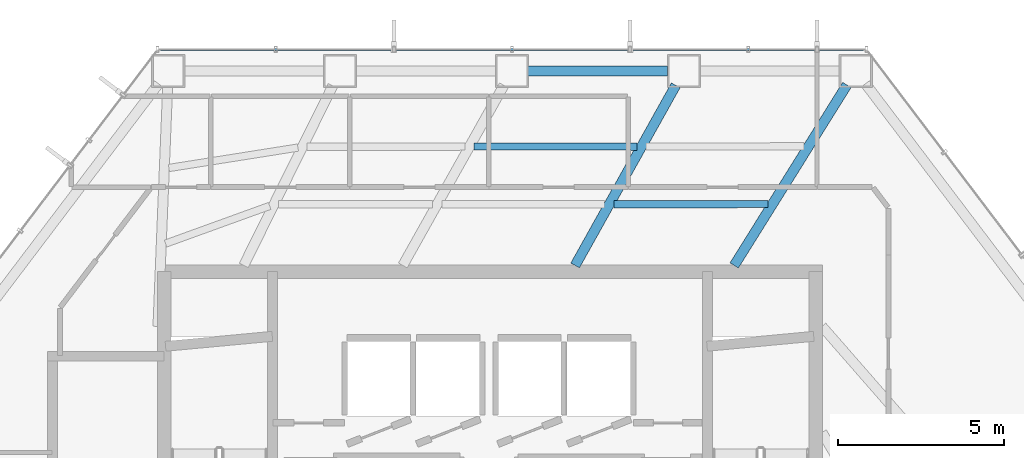
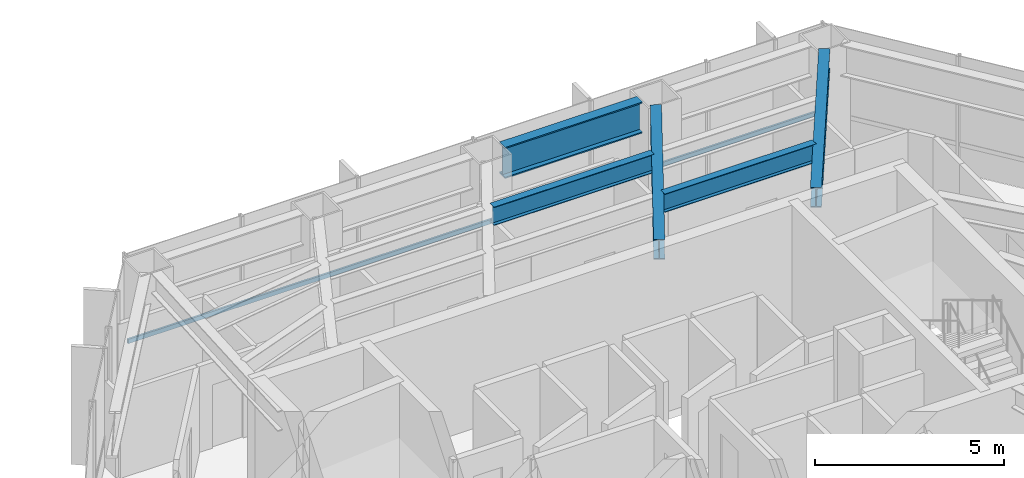
# One storey, part 15 of 26: 5 beams, 1 member, 1 element without a shape of its own.
"""IFC4 building model written with IfcOpenShell, lengths in metres."""

from ifc_helpers import new_model, si_unit, direction, frame, origin, origin_2d, place, context, subcontext, project, spatial, hollow_rectangle, i_section, extrude, material, layer, layer_set, material_profile, profile_set, type_object, element, aggregate, save


model = new_model("IFC4")

# Units and contexts
model_context = context("Model", 3, precision=1e-05, world=origin(), true_north=direction((0.0, 1.0)))
body_context = subcontext(model_context, "Body", "Model", "MODEL_VIEW")
ifc_project = project(units=[si_unit("LENGTHUNIT", "METRE"), si_unit("AREAUNIT", "SQUARE_METRE"), si_unit("VOLUMEUNIT", "CUBIC_METRE"), si_unit("PLANEANGLEUNIT", "RADIAN"), si_unit("MASSUNIT", "GRAM", prefix="KILO")], contexts=[model_context])

# Site, building, storey
site_placement = place(None, origin())
site = spatial("IfcSite", under=ifc_project, at=site_placement, CompositionType="ELEMENT")
building_placement = place(site_placement, origin())
building = spatial("IfcBuilding", under=site, at=building_placement, Name="Zarrinselat Tower", CompositionType="ELEMENT")
storey_placement = place(building_placement, frame((0.0, 0.0, 27.5400390625)))
storey = spatial("IfcBuildingStorey", under=building, at=storey_placement, Name="L06", CompositionType="ELEMENT", Elevation=27.5400390625)

# Beams
ifc_material_1 = material(Name="Steel S355J2", Category="steel")
ifc_material_profile_1 = material_profile(ifc_material_1, i_section(OverallWidth=0.300048828125, OverallDepth=0.64990234375, WebThickness=0.01611328125, FlangeThickness=0.031005859375, at=origin_2d()), Name="HEB 650")
ifc_profile_set_1 = profile_set([ifc_material_profile_1], Name="Steel S355J2")
beam_type_1 = type_object("IfcBeamType", Name="BM-HEB650", PredefinedType="BEAM", material=ifc_profile_set_1)
beam_1_placement = place(storey_placement, frame((45.800048828125, 43.639892578125, 3.494873046875), z_axis=(0.529670738207, 0.848203341827, 0.0), x_axis=(-0.848203341827, 0.529670738207, 0.0)))
element("IfcBeam", 1, at=beam_1_placement, inside=storey, type_object=beam_type_1, Name="L06 Radial Primary Girder RG01", PredefinedType="BEAM", context=body_context, shape_type="SweptSolid", body=[
    extrude(i_section(OverallWidth=0.300048828125, OverallDepth=0.64990234375, WebThickness=0.01611328125, FlangeThickness=0.031005859375, at=origin_2d()), origin(), (0.0, 0.0, 1.0), 6.419921875),
])
beam_2_placement = place(storey_placement, frame((41.0, 43.639892578125, 3.494873046875), z_axis=(0.487729916269, 0.872994575456, 0.0), x_axis=(-0.872994575456, 0.487729916269, 0.0)))
element("IfcBeam", 2, at=beam_2_placement, inside=storey, type_object=beam_type_1, Name="L06 Radial Primary Girder RG02", PredefinedType="BEAM", context=body_context, shape_type="SweptSolid", body=[
    extrude(i_section(OverallWidth=0.300048828125, OverallDepth=0.64990234375, WebThickness=0.01611328125, FlangeThickness=0.031005859375, at=origin_2d()), origin(), (0.0, 0.0, 1.0), 6.2236328125),
])
ifc_material_2 = material(Name="Steel S460M", Category="steel")
ifc_material_profile_2 = material_profile(ifc_material_2, i_section(OverallWidth=0.302001953125, OverallDepth=1.008056640625, WebThickness=0.02099609375, FlangeThickness=0.0400390625, at=origin_2d()), Name="HEM 1000")
ifc_profile_set_2 = profile_set([ifc_material_profile_2], Name="Steel S460M")
beam_type_2 = type_object("IfcBeamType", Name="BM-HEM1000", PredefinedType="BEAM", material=ifc_profile_set_2)
beam_3_placement = place(storey_placement, frame((39.58251953125, 49.510986328125, 3.31591796875), z_axis=(1.0, 0.0, 0.0), x_axis=(0.0, 1.0, 0.0)))
element("IfcBeam", 3, at=beam_3_placement, inside=storey, type_object=beam_type_2, Name="L06 Perimeter Spandrel Girder SP02", PredefinedType="BEAM", context=body_context, shape_type="SweptSolid", body=[
    extrude(i_section(OverallWidth=0.302001953125, OverallDepth=1.008056640625, WebThickness=0.02099609375, FlangeThickness=0.0400390625, at=origin_2d()), origin(), (0.0, 0.0, 1.0), 4.2099609375),
])
ifc_material_3 = material(Name="Steel S355J2", Category="steel")
ifc_material_profile_3 = material_profile(ifc_material_3, i_section(OverallWidth=0.219970703125, OverallDepth=0.60009765625, WebThickness=0.011962890625, FlangeThickness=0.01904296875, at=origin_2d()), Name="IPE 600")
ifc_profile_set_3 = profile_set([ifc_material_profile_3], Name="Steel S355J2")
beam_type_3 = type_object("IfcBeamType", Name="BM-IPE600", PredefinedType="JOIST", material=ifc_profile_set_3)
beam_4_placement = place(storey_placement, frame((42.172119140625, 45.4873046875, 3.52001953125), z_axis=(0.999999646249, 0.000841131024, 0.0), x_axis=(-0.000841131024, 0.999999646249, 0.0)))
element("IfcBeam", 4, at=beam_4_placement, inside=storey, type_object=beam_type_3, Name="L06 Composite Floor Joist 8-2", PredefinedType="JOIST", context=body_context, shape_type="SweptSolid", body=[
    extrude(i_section(OverallWidth=0.219970703125, OverallDepth=0.60009765625, WebThickness=0.011962890625, FlangeThickness=0.01904296875, at=origin_2d()), origin(), (0.0, 0.0, 1.0), 4.64404296875),
])
beam_5_placement = place(storey_placement, frame((37.9521484375, 47.22607421875, 3.52001953125), z_axis=(0.999999995057, -9.9423344e-05, 0.0), x_axis=(9.9423344e-05, 0.999999995057, 0.0)))
element("IfcBeam", 5, at=beam_5_placement, inside=storey, type_object=beam_type_3, Name="L06 Composite Floor Joist 9-1", PredefinedType="JOIST", context=body_context, shape_type="SweptSolid", body=[
    extrude(i_section(OverallWidth=0.219970703125, OverallDepth=0.60009765625, WebThickness=0.011962890625, FlangeThickness=0.01904296875, at=origin_2d()), origin(), (0.0, 0.0, 1.0), 4.9111328125),
])

# Curtain wall, member
ifc_material_4 = material(Name="Extruded Aluminium Alloy EN AW-6063 T6", Category="aluminium")
ifc_layer = layer(ifc_material_4, 0.18505859375)
ifc_layer_set = layer_set([ifc_layer], Name="Extruded Aluminium Alloy EN AW-6063 T6")
curtain_wall_type = type_object("IfcCurtainWallType", Name="CWS-OFF", PredefinedType="NOTDEFINED", material=ifc_layer_set)
curtain_wall_placement = place(storey_placement, origin())
curtain_wall = element("IfcCurtainWall", 6, at=curtain_wall_placement, inside=storey, type_object=curtain_wall_type, Name="L06 Unitised Curtain Wall CW-L06-E01", PredefinedType="NOTDEFINED")
ifc_material_5 = material(Name="Extruded Aluminium Alloy EN AW-6063 T6", Category="aluminium")
ifc_material_profile_4 = material_profile(ifc_material_5, hollow_rectangle(XDim=0.06005859375, YDim=0.139892578125, WallThickness=0.00390625, at=origin_2d()), Name="RHS 140x60x4")
ifc_profile_set_4 = profile_set([ifc_material_profile_4], Name="Extruded Aluminium Alloy EN AW-6063 T6")
member_type = type_object("IfcMemberType", Name="MEM-CW-TRN", PredefinedType="USERDEFINED", material=ifc_profile_set_4)
member_placement = place(storey_placement, frame((49.699462890625, 50.1611328125, 0.949951171875), z_axis=(-1.0, 0.0, 0.0), x_axis=(0.0, -1.0, 0.0)))
member = element("IfcMember", 7, at=member_placement, type_object=member_type, Name="CW-L06-E01 Transom 1", ObjectType="TRANSOM", PredefinedType="USERDEFINED", context=body_context, shape_type="SweptSolid", body=[
    extrude(hollow_rectangle(XDim=0.06005859375, YDim=0.139892578125, WallThickness=0.00390625, at=origin_2d()), origin(), (0.0, 0.0, 1.0), 21.2099609375),
])
aggregate(curtain_wall, [member])

save(model, "model.ifc")
